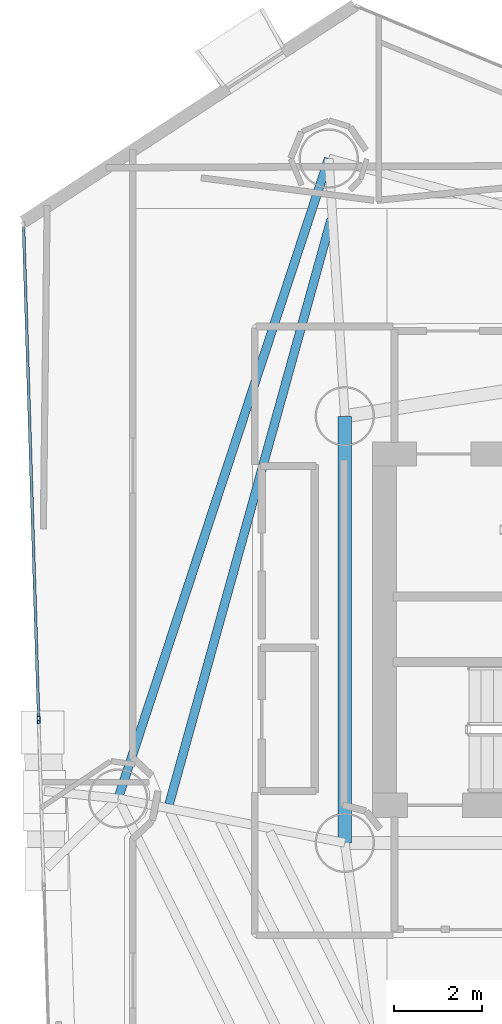
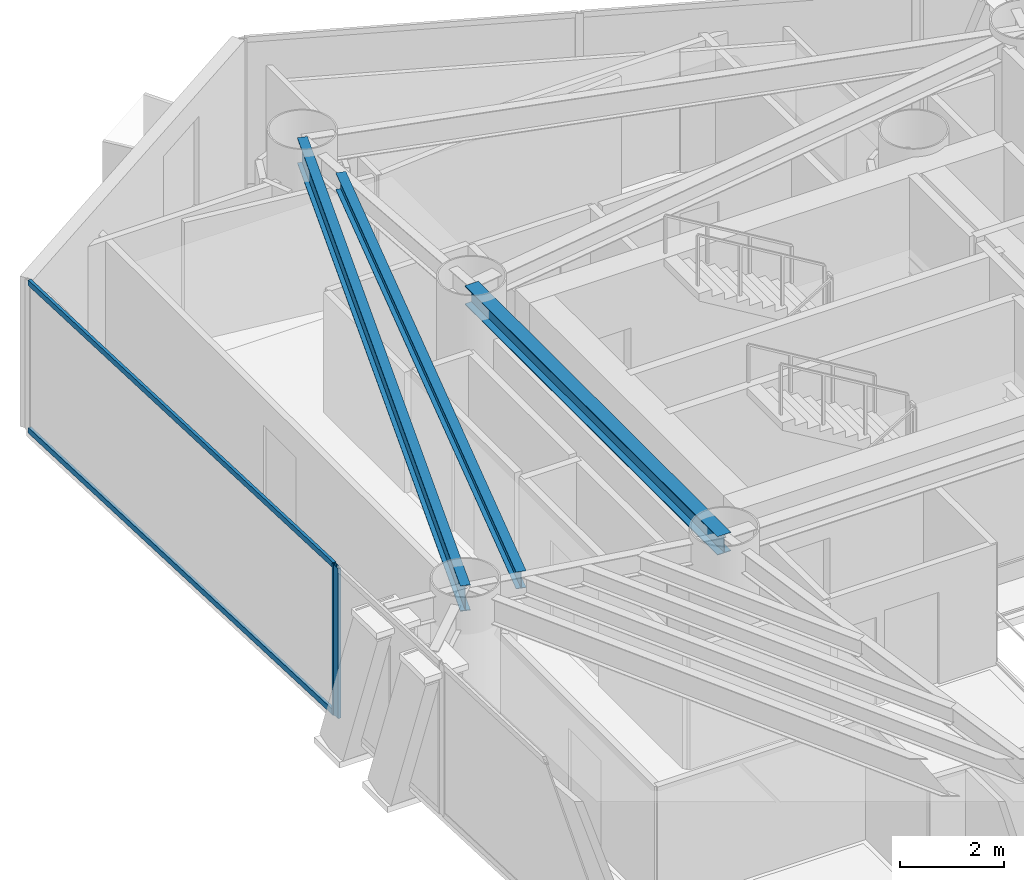
# One storey, part 9 of 23: 4 members, 3 beams, 2 elements without a shape of their own.
"""IFC4 building model written with IfcOpenShell, lengths in metres."""

import ifcopenshell
import ifcopenshell.guid

model = None  # the IFC model being written
_history = None  # IfcOwnerHistory: only IFC2X3 demands one
_inside = {}  # id of a spatial element -> (the spatial element, [elements in it])
_under = {}  # id of a project, library or spatial element -> (it, [spatial elements below it])
_declared = {}  # id of a project -> (the project, [libraries it declares])
_typed = {}  # id of a type object -> (the type object, [elements of that type])
_made_of = {}  # id of a material, layer set ... -> (it, [elements and type objects made of it])


def new_model(schema):
    """Start an empty IFC model of exactly this schema.

    Asked for "IFC4X3", IfcOpenShell would pick the latest addendum, in which some entities
    have other attributes; the version numbers below select the first issue.
    IFC2X3 requires an IfcOwnerHistory on every rooted entity: one is made here for all.
    """
    global model, _history
    if schema == "IFC4X3":
        model = ifcopenshell.file(schema_version=(4, 3, 0, 0))
    else:
        model = ifcopenshell.file(schema=schema)
    _inside.clear()
    _under.clear()
    _declared.clear()
    _typed.clear()
    _made_of.clear()
    _history = None
    if model.schema == "IFC2X3":
        org = make("IfcOrganization", Name="unknown")
        user = make(
            "IfcPersonAndOrganization",
            ThePerson=make("IfcPerson", FamilyName="unknown"),
            TheOrganization=org,
        )
        app = make(
            "IfcApplication",
            ApplicationDeveloper=org,
            Version="unknown",
            ApplicationFullName="unknown",
            ApplicationIdentifier="unknown",
        )
        _history = make(
            "IfcOwnerHistory",
            OwningUser=user,
            OwningApplication=app,
            ChangeAction="ADDED",
            CreationDate=0,
        )
    return model


def make(cls, **values):
    """One entity of the class cls with the attributes given. An attribute that is None is left unset."""
    return model.create_entity(
        cls, **{name: value for name, value in values.items() if value is not None}
    )


def rooted(cls, **values):
    """An entity with a GlobalId (a new one), such as an element, a storey or a relation."""
    return make(cls, GlobalId=ifcopenshell.guid.new(), OwnerHistory=_history, **values)


def si_unit(unit_type, name, prefix=None):
    """IfcSIUnit, for example si_unit("LENGTHUNIT", "METRE", prefix="MILLI")."""
    return make("IfcSIUnit", UnitType=unit_type, Prefix=prefix, Name=name)


def assignment(units):
    """IfcUnitAssignment: the units of a project."""
    return None if units is None else make("IfcUnitAssignment", Units=units)


def point(xyz):
    """IfcCartesianPoint."""
    return None if xyz is None else make("IfcCartesianPoint", Coordinates=xyz)


def direction(xyz):
    """IfcDirection."""
    return None if xyz is None else make("IfcDirection", DirectionRatios=xyz)


def frame(location, z_axis=None, x_axis=None):
    """IfcAxis2Placement3D, a coordinate frame: its origin and axes. An axis left out is left unset."""
    return make(
        "IfcAxis2Placement3D",
        Location=point(location),
        Axis=direction(z_axis),
        RefDirection=direction(x_axis),
    )


def frame_2d(location, x_axis=None):
    """IfcAxis2Placement2D, a coordinate frame in the plane: its origin and x axis."""
    return make(
        "IfcAxis2Placement2D", Location=point(location), RefDirection=direction(x_axis)
    )


def origin():
    """The frame at (0, 0, 0) with its axes left unset."""
    return frame((0.0, 0.0, 0.0))


def origin_2d():
    """The frame at (0, 0) in the plane with its x axis left unset."""
    return frame_2d((0.0, 0.0))


def place(relative_to, where):
    """IfcLocalPlacement: puts the frame where relative to a parent placement (None: the world)."""
    return make(
        "IfcLocalPlacement", PlacementRelTo=relative_to, RelativePlacement=where
    )


def context(
    kind, dimensions, precision=None, world=None, true_north=None, identifier=None
):
    """IfcGeometricRepresentationContext, for example the 3D "Model" context."""
    return make(
        "IfcGeometricRepresentationContext",
        ContextIdentifier=identifier,
        ContextType=kind,
        CoordinateSpaceDimension=dimensions,
        Precision=precision,
        WorldCoordinateSystem=world,
        TrueNorth=true_north,
    )


def subcontext(parent, identifier, kind, view, scale=None):
    """IfcGeometricRepresentationSubContext, for example "Body" below "Model"."""
    return make(
        "IfcGeometricRepresentationSubContext",
        ContextIdentifier=identifier,
        ContextType=kind,
        ParentContext=parent,
        TargetScale=scale,
        TargetView=view,
    )


def project(units=None, contexts=None):
    """IfcProject with its units and contexts."""
    return rooted(
        "IfcProject",
        Name="project",
        RepresentationContexts=contexts,
        UnitsInContext=assignment(units),
    )


def spatial(cls, under=None, at=None, **own):
    """A site, building, storey or space (cls), placed at a placement, below another one or the project."""
    s = rooted(cls, ObjectPlacement=at, **own)
    if under is not None:
        _under.setdefault(under.id(), (under, []))[1].append(s)
    return s


def profile(cls, at=None, kind="AREA", **sizes):
    """A parametric profile (cls). Its sizes go by their IFC names, for example OverallWidth=200.0."""
    return make(cls, ProfileType=kind, Position=at, **sizes)


def hollow_rectangle(**sizes):
    """IfcRectangleHollowProfileDef."""
    return profile("IfcRectangleHollowProfileDef", **sizes)


def i_section(**sizes):
    """IfcIShapeProfileDef."""
    return profile("IfcIShapeProfileDef", **sizes)


def extrude(swept, where, along, depth):
    """IfcExtrudedAreaSolid: the profile swept, set in the frame where, extruded along a direction by depth."""
    return make(
        "IfcExtrudedAreaSolid",
        SweptArea=swept,
        Position=where,
        ExtrudedDirection=direction(along),
        Depth=depth,
    )


def shape(context_of_items, identifier, shape_type, items):
    """IfcShapeRepresentation: the items that make up one representation, for example the "Body"."""
    return make(
        "IfcShapeRepresentation",
        ContextOfItems=context_of_items,
        RepresentationIdentifier=identifier,
        RepresentationType=shape_type,
        Items=items,
    )


def material(Name=None, Category=None):
    """IfcMaterial."""
    return make("IfcMaterial", Name=Name, Category=Category)


def layer(
    of_material, thickness, ventilated=None, Name=None, Category=None, Priority=None
):
    """IfcMaterialLayer: one layer of a wall or slab, of a material (None: an air gap)."""
    return make(
        "IfcMaterialLayer",
        Material=of_material,
        LayerThickness=thickness,
        IsVentilated=ventilated,
        Name=Name,
        Category=Category,
        Priority=Priority,
    )


def layer_set(layers, Name=None):
    """IfcMaterialLayerSet."""
    return make("IfcMaterialLayerSet", MaterialLayers=layers, LayerSetName=Name)


def material_profile(
    of_material, cross_section, Name=None, Category=None, Priority=None
):
    """IfcMaterialProfile: a cross section and its material."""
    return make(
        "IfcMaterialProfile",
        Name=Name,
        Material=of_material,
        Profile=cross_section,
        Priority=Priority,
        Category=Category,
    )


def profile_set(profiles, Name=None, composite=None):
    """IfcMaterialProfileSet."""
    return make(
        "IfcMaterialProfileSet",
        Name=Name,
        MaterialProfiles=profiles,
        CompositeProfile=composite,
    )


def made_of(thing, what):
    """Note that an element or type object is made of a material, layer set ...; save() writes the relation."""
    if what is not None:
        _made_of.setdefault(what.id(), (what, []))[1].append(thing)
    return thing


def type_object(cls, material=None, **own):
    """A type object (cls), such as IfcWallType, which elements share."""
    return made_of(rooted(cls, **own), material)


def element(
    cls,
    number,
    at=None,
    inside=None,
    cuts=None,
    type_object=None,
    material=None,
    context=None,
    identifier="Body",
    shape_type=None,
    held_by="IfcProductDefinitionShape",
    body=None,
    shapes=None,
    **own,
):
    """One element of the class cls, such as IfcWall. Its Tag is "e" and its number.

    at: its placement. inside: the storey or other place that contains it. cuts: it is an
    opening in that element (IfcRelVoidsElement). A single representation is given by context,
    identifier, shape_type and body (its items); several are given by shapes. held_by: the class
    of the entity that holds the representations. save() writes the other relations.
    """
    e = rooted(cls, Tag="e%d" % number, ObjectPlacement=at, **own)
    if body is not None:
        shapes = [shape(context, identifier, shape_type, body)]
    if shapes is not None:
        e.Representation = make(held_by, Representations=shapes)
    if inside is not None:
        _inside.setdefault(inside.id(), (inside, []))[1].append(e)
    if cuts is not None:
        rooted(
            "IfcRelVoidsElement", RelatingBuildingElement=cuts, RelatedOpeningElement=e
        )
    if type_object is not None:
        _typed.setdefault(type_object.id(), (type_object, []))[1].append(e)
    return made_of(e, material)


def aggregate(whole, parts):
    """IfcRelAggregates: a whole, such as a stair, and the parts it consists of."""
    return rooted("IfcRelAggregates", RelatingObject=whole, RelatedObjects=parts)


def save(model, path):
    """Write the relations noted so far, then the file.

    IfcRelAggregates (storeys below a building ...), IfcRelContainedInSpatialStructure (elements
    in a storey), IfcRelDefinesByType, IfcRelAssociatesMaterial and IfcRelDeclares: one each for
    every whole, place, type object, material and project.
    """
    for whole, parts in _under.values():
        aggregate(whole, parts)
    for where, things in _inside.values():
        rooted(
            "IfcRelContainedInSpatialStructure",
            RelatedElements=things,
            RelatingStructure=where,
        )
    for kind, things in _typed.values():
        rooted("IfcRelDefinesByType", RelatedObjects=things, RelatingType=kind)
    for what, things in _made_of.values():
        rooted("IfcRelAssociatesMaterial", RelatedObjects=things, RelatingMaterial=what)
    for by, libraries in _declared.values():
        rooted("IfcRelDeclares", RelatingContext=by, RelatedDefinitions=libraries)
    model.write(path)


model = new_model("IFC4")

# Units and contexts
model_context = context("Model", 3, precision=1e-05, world=origin(), true_north=direction((0.0, 1.0)))
body_context = subcontext(model_context, "Body", "Model", "MODEL_VIEW")
ifc_project = project(units=[si_unit("LENGTHUNIT", "METRE"), si_unit("AREAUNIT", "SQUARE_METRE"), si_unit("VOLUMEUNIT", "CUBIC_METRE"), si_unit("PLANEANGLEUNIT", "RADIAN"), si_unit("MASSUNIT", "GRAM", prefix="KILO")], contexts=[model_context])

# Site, building, storey
site_placement = place(None, origin())
site = spatial("IfcSite", under=ifc_project, at=site_placement, CompositionType="ELEMENT")
building_placement = place(site_placement, origin())
building = spatial("IfcBuilding", under=site, at=building_placement, Name="Qianvela Tower", CompositionType="ELEMENT")
storey_placement = place(building_placement, frame((0.0, 0.0, 162.39990234375)))
storey = spatial("IfcBuildingStorey", under=building, at=storey_placement, Name="L41", CompositionType="ELEMENT", Elevation=162.39990234375)

# Beams
ifc_material_1 = material(Name="Steel Q355B", Category="steel")
ifc_material_profile_1 = material_profile(ifc_material_1, i_section(OverallWidth=0.300048828125, OverallDepth=0.43994140625, WebThickness=0.010986328125, FlangeThickness=0.01806640625, at=origin_2d()), Name="HM440x300x11x18")
ifc_profile_set_1 = profile_set([ifc_material_profile_1], Name="Steel Q355B")
beam_type_1 = type_object("IfcBeamType", Name="BM-HM440-COLL", PredefinedType="BEAM", material=ifc_profile_set_1)
beam_1_placement = place(storey_placement, frame((28.60009765625, 33.550048828125, 3.298095703125), z_axis=(0.0, -1.0, 0.0), x_axis=(1.0, 0.0, 0.0)))
element("IfcBeam", 1, at=beam_1_placement, inside=storey, type_object=beam_type_1, Name="L41 Core Ring Collector Girder CC2", PredefinedType="BEAM", context=body_context, shape_type="SweptSolid", body=[
    extrude(i_section(OverallWidth=0.300048828125, OverallDepth=0.43994140625, WebThickness=0.010986328125, FlangeThickness=0.01806640625, at=origin_2d()), origin(), (0.0, 0.0, 1.0), 9.699951171875),
])
ifc_material_2 = material(Name="Steel Q355B", Category="steel")
ifc_material_profile_2 = material_profile(ifc_material_2, i_section(OverallWidth=0.199951171875, OverallDepth=0.39990234375, WebThickness=0.008056640625, FlangeThickness=0.012939453125, at=origin_2d()), Name="HN400x200x8x13")
ifc_profile_set_2 = profile_set([ifc_material_profile_2], Name="Steel Q355B")
beam_type_2 = type_object("IfcBeamType", Name="BM-HN400-JOIST", PredefinedType="JOIST", material=ifc_profile_set_2)
beam_2_placement = place(storey_placement, frame((28.289794921875, 38.029052734375, 3.318115234375), z_axis=(-0.266971346744, -0.963704467157, 0.0), x_axis=(0.963704467157, -0.266971346744, 0.0)))
element("IfcBeam", 2, at=beam_2_placement, inside=storey, type_object=beam_type_2, Name="L41 Secondary Composite Floor Joist 3.3", PredefinedType="JOIST", context=body_context, shape_type="SweptSolid", body=[
    extrude(i_section(OverallWidth=0.199951171875, OverallDepth=0.39990234375, WebThickness=0.008056640625, FlangeThickness=0.012939453125, at=origin_2d()), origin(), (0.0, 0.0, 1.0), 13.800537109375),
])
ifc_material_3 = material(Name="Steel Q355B", Category="steel")
ifc_material_profile_3 = material_profile(ifc_material_3, i_section(OverallWidth=0.199951171875, OverallDepth=0.60009765625, WebThickness=0.010986328125, FlangeThickness=0.01708984375, at=origin_2d()), Name="HN600x200x11x17")
ifc_profile_set_3 = profile_set([ifc_material_profile_3], Name="Steel Q355B")
beam_type_3 = type_object("IfcBeamType", Name="BM-HN600-GIRD", PredefinedType="BEAM", material=ifc_profile_set_3)
beam_3_placement = place(storey_placement, frame((28.235107421875, 39.410888671875, 3.218017578125), z_axis=(-0.312606332657, -0.949882772126, 0.0), x_axis=(0.949882772126, -0.312606332657, 0.0)))
element("IfcBeam", 3, at=beam_3_placement, inside=storey, type_object=beam_type_3, Name="L41 Perimeter Ring Spandrel Girder 3", PredefinedType="BEAM", context=body_context, shape_type="SweptSolid", body=[
    extrude(i_section(OverallWidth=0.199951171875, OverallDepth=0.60009765625, WebThickness=0.010986328125, FlangeThickness=0.01708984375, at=origin_2d()), origin(), (0.0, 0.0, 1.0), 15.31982421875),
])

# Curtain wall, member
ifc_material_4 = material(Name="Anodised Architectural Aluminium and Insulated Spandrel Panel", Category="aluminium")
ifc_layer_1 = layer(ifc_material_4, 0.179931640625)
ifc_layer_set_1 = layer_set([ifc_layer_1], Name="Anodised Architectural Aluminium and Insulated Spandrel Panel")
curtain_wall_type_1 = type_object("IfcCurtainWallType", Name="CW-BRACEBAY", PredefinedType="USERDEFINED", material=ifc_layer_set_1)
curtain_wall_1_placement = place(storey_placement, origin())
curtain_wall_1 = element("IfcCurtainWall", 4, at=curtain_wall_1_placement, inside=storey, type_object=curtain_wall_type_1, Name="L41 CW-BRACEBAY Curtain Wall 04B", ObjectType="CURTAIN_WALL_SYSTEM", PredefinedType="USERDEFINED")
ifc_material_5 = material(Name="Anodised Architectural Aluminium 6063-T6", Category="aluminium")
ifc_material_profile_4 = material_profile(ifc_material_5, hollow_rectangle(XDim=0.06494140625, YDim=0.159912109375, WallThickness=0.0048828125, at=origin_2d()), Name="ALU-MULL-65x160")
ifc_profile_set_4 = profile_set([ifc_material_profile_4], Name="Anodised Architectural Aluminium 6063-T6")
member_type_1 = type_object("IfcMemberType", Name="CW-BRACEBAY-MULL", PredefinedType="MULLION", material=ifc_profile_set_4)
member_1_placement = place(storey_placement, frame((21.638916015625, 26.64404296875, 0.0), z_axis=(0.0, 0.0, 1.0), x_axis=(0.99952864014, 0.030700122815, 0.0)))
member_1 = element("IfcMember", 5, at=member_1_placement, type_object=member_type_1, Name="CW-9 mullion 1", PredefinedType="MULLION", context=body_context, shape_type="SweptSolid", body=[
    extrude(hollow_rectangle(XDim=0.06494140625, YDim=0.159912109375, WallThickness=0.0048828125, at=origin_2d()), origin(), (0.0, 0.0, 1.0), 3.52001953125),
])
aggregate(curtain_wall_1, [member_1])

# Curtain wall, members
ifc_material_6 = material(Name="Anodised Architectural Aluminium and Low-E Glass", Category="aluminium")
ifc_layer_2 = layer(ifc_material_6, 0.169921875)
ifc_layer_set_2 = layer_set([ifc_layer_2], Name="Anodised Architectural Aluminium and Low-E Glass")
curtain_wall_type_2 = type_object("IfcCurtainWallType", Name="CW-COLIV-Z34", PredefinedType="USERDEFINED", material=ifc_layer_set_2)
curtain_wall_2_placement = place(storey_placement, origin())
curtain_wall_2 = element("IfcCurtainWall", 6, at=curtain_wall_2_placement, inside=storey, type_object=curtain_wall_type_2, Name="L41 CW-COLIV-Z34 Curtain Wall 04A", ObjectType="CURTAIN_WALL_SYSTEM", PredefinedType="USERDEFINED")
ifc_material_7 = material(Name="Anodised Architectural Aluminium 6063-T6", Category="aluminium")
ifc_material_profile_5 = material_profile(ifc_material_7, hollow_rectangle(XDim=0.06494140625, YDim=0.159912109375, WallThickness=0.0048828125, at=origin_2d()), Name="ALU-MULL-65x160")
ifc_profile_set_5 = profile_set([ifc_material_profile_5], Name="Anodised Architectural Aluminium 6063-T6")
member_type_2 = type_object("IfcMemberType", Name="CW-COLIV-Z34-MULL", PredefinedType="MULLION", material=ifc_profile_set_5)
member_2_placement = place(storey_placement, frame((21.636962890625, 26.708984375, 0.0), z_axis=(0.0, 0.0, 1.0), x_axis=(0.999528030233, 0.030719973602, 0.0)))
member_2 = element("IfcMember", 7, at=member_2_placement, type_object=member_type_2, Name="CW-4 mullion 2", PredefinedType="MULLION", context=body_context, shape_type="SweptSolid", body=[
    extrude(hollow_rectangle(XDim=0.06494140625, YDim=0.159912109375, WallThickness=0.0048828125, at=origin_2d()), origin(), (0.0, 0.0, 1.0), 3.52001953125),
])
ifc_material_8 = material(Name="Anodised Architectural Aluminium 6063-T6", Category="aluminium")
ifc_material_profile_6 = material_profile(ifc_material_8, hollow_rectangle(XDim=0.06494140625, YDim=0.1298828125, WallThickness=0.00439453125, at=origin_2d()), Name="ALU-TRAN-65x130")
ifc_profile_set_6 = profile_set([ifc_material_profile_6], Name="Anodised Architectural Aluminium 6063-T6")
member_type_3 = type_object("IfcMemberType", Name="CW-COLIV-Z34-TRAN", PredefinedType="USERDEFINED", material=ifc_profile_set_6)
member_3_placement = place(storey_placement, frame((21.29443359375, 37.8564453125, 0.03271484375), z_axis=(0.030714519928, -0.999528197834, 0.0), x_axis=(0.999528197834, 0.030714519928, 0.0)))
member_3 = element("IfcMember", 8, at=member_3_placement, type_object=member_type_3, Name="CW-4 transom 1.1", ObjectType="TRANSOM", PredefinedType="USERDEFINED", context=body_context, shape_type="SweptSolid", body=[
    extrude(hollow_rectangle(XDim=0.06494140625, YDim=0.1298828125, WallThickness=0.00439453125, at=origin_2d()), origin(), (0.0, 0.0, 1.0), 11.1201171875),
])
member_4_placement = place(storey_placement, frame((21.29443359375, 37.8564453125, 3.487548828125), z_axis=(0.030714519928, -0.999528197834, 0.0), x_axis=(0.999528197834, 0.030714519928, 0.0)))
member_4 = element("IfcMember", 9, at=member_4_placement, type_object=member_type_3, Name="CW-4 transom 1.2", ObjectType="TRANSOM", PredefinedType="USERDEFINED", context=body_context, shape_type="SweptSolid", body=[
    extrude(hollow_rectangle(XDim=0.06494140625, YDim=0.1298828125, WallThickness=0.00439453125, at=origin_2d()), origin(), (0.0, 0.0, 1.0), 11.1201171875),
])
aggregate(curtain_wall_2, [member_2, member_3, member_4])

save(model, "model.ifc")
